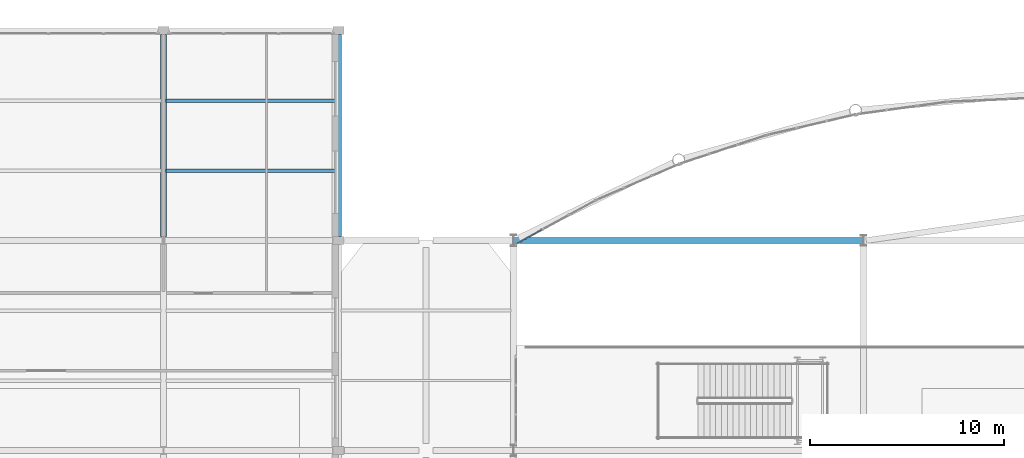
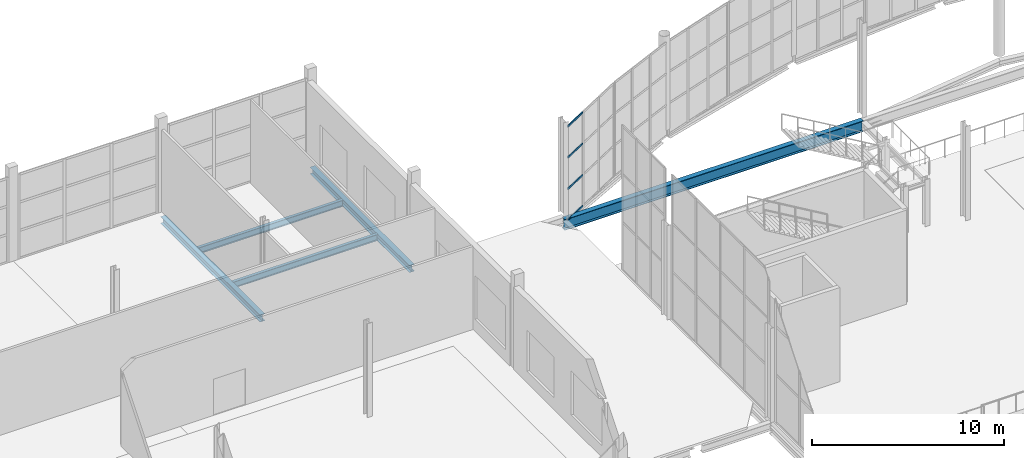
# One storey, part 98 of 191: 5 beams, 4 members, 1 element without a shape of its own.
"""IFC4 building model written with IfcOpenShell, lengths in metres."""

from ifc_helpers import new_model, si_unit, direction, frame, origin, origin_2d, place, context, subcontext, project, spatial, hollow_rectangle, i_section, extrude, material, layer, layer_set, material_profile, profile_set, type_object, element, aggregate, save


model = new_model("IFC4")

# Units and contexts
model_context = context("Model", 3, precision=1e-05, world=origin(), true_north=direction((0.0, 1.0)))
body_context = subcontext(model_context, "Body", "Model", "MODEL_VIEW")
ifc_project = project(units=[si_unit("LENGTHUNIT", "METRE"), si_unit("AREAUNIT", "SQUARE_METRE"), si_unit("VOLUMEUNIT", "CUBIC_METRE"), si_unit("PLANEANGLEUNIT", "RADIAN"), si_unit("MASSUNIT", "GRAM", prefix="KILO")], contexts=[model_context])

# Site, building, storey
site_placement = place(None, origin())
site = spatial("IfcSite", under=ifc_project, at=site_placement, CompositionType="ELEMENT")
building_placement = place(site_placement, origin())
building = spatial("IfcBuilding", under=site, at=building_placement, Name="Tamarisk Ironworks Central Station", CompositionType="ELEMENT")
storey_placement = place(building_placement, frame((0.0, 0.0, 6.60009765625)))
storey = spatial("IfcBuildingStorey", under=building, at=storey_placement, Name="L01", CompositionType="ELEMENT", Elevation=6.60009765625)

# Beams
ifc_material_1 = material(Name="Structural steel S355J2", Category="steel")
ifc_material_profile_1 = material_profile(ifc_material_1, i_section(OverallWidth=0.179931640625, OverallDepth=0.39990234375, WebThickness=0.008544921875, FlangeThickness=0.013427734375, at=origin_2d()), Name="IPE 400")
ifc_profile_set_1 = profile_set([ifc_material_profile_1], Name="Structural steel S355J2")
beam_type_1 = type_object("IfcBeamType", Name="BM-B04", PredefinedType="BEAM", material=ifc_profile_set_1)
for number, where, z_axis, x_axis, name in (
    (1, (36.135009765625, 115.199951171875, -0.4501953125), (1.0, 0.0, 0.0), (0.0, 1.0, 0.0), "L01 secondary composite beam 0070"),
    (2, (36.135009765625, 118.800048828125, -0.4501953125), (1.0, 0.0, 0.0), (0.0, 1.0, 0.0), "L01 secondary composite beam 0071"),
):
    element("IfcBeam", number, at=place(storey_placement, frame(where, z_axis=z_axis, x_axis=x_axis)), inside=storey, type_object=beam_type_1, Name=name, PredefinedType="BEAM", context=body_context, shape_type="SweptSolid", body=[
        extrude(i_section(OverallWidth=0.179931640625, OverallDepth=0.39990234375, WebThickness=0.008544921875, FlangeThickness=0.013427734375, at=origin_2d()), origin(), (0.0, 0.0, 1.0), 8.72998046875),
    ])
ifc_material_profile_2 = material_profile(ifc_material_1, i_section(OverallWidth=0.300048828125, OverallDepth=0.68994140625, WebThickness=0.014404296875, FlangeThickness=0.027099609375, at=origin_2d()), Name="HEA 700")
ifc_profile_set_2 = profile_set([ifc_material_profile_2], Name="Structural steel S355J2")
beam_type_2 = type_object("IfcBeamType", Name="BM-G01", PredefinedType="BEAM", material=ifc_profile_set_2)
beam_placement = place(storey_placement, frame((54.00390625, 111.60009765625, -0.64501953125), z_axis=(1.0, 0.0, 0.0), x_axis=(0.0, 1.0, 0.0)))
element("IfcBeam", 3, at=beam_placement, inside=storey, type_object=beam_type_2, Name="L01 primary girder X-0133", PredefinedType="BEAM", context=body_context, shape_type="SweptSolid", body=[
    extrude(i_section(OverallWidth=0.300048828125, OverallDepth=0.68994140625, WebThickness=0.014404296875, FlangeThickness=0.027099609375, at=origin_2d()), origin(), (0.0, 0.0, 1.0), 17.9921875),
])
ifc_material_profile_3 = material_profile(ifc_material_1, i_section(OverallWidth=0.300048828125, OverallDepth=0.43994140625, WebThickness=0.011474609375, FlangeThickness=0.02099609375, at=origin_2d()), Name="HEA 450")
ifc_profile_set_3 = profile_set([ifc_material_profile_3], Name="Structural steel S355J2")
beam_type_3 = type_object("IfcBeamType", Name="BM-G06", PredefinedType="BEAM", material=ifc_profile_set_3)
for number, where, z_axis, x_axis, name in (
    (4, (36.0, 111.81298828125, -0.47021484375), (0.0, 1.0, 0.0), (-1.0, 0.0, 0.0), "L01 primary girder Y-0195"),
    (5, (45.0, 111.81298828125, -0.47021484375), (0.0, 1.0, 0.0), (-1.0, 0.0, 0.0), "L01 primary girder Y-0204"),
):
    element("IfcBeam", number, at=place(storey_placement, frame(where, z_axis=z_axis, x_axis=x_axis)), inside=storey, type_object=beam_type_3, Name=name, PredefinedType="BEAM", context=body_context, shape_type="SweptSolid", body=[
        extrude(i_section(OverallWidth=0.300048828125, OverallDepth=0.43994140625, WebThickness=0.011474609375, FlangeThickness=0.02099609375, at=origin_2d()), origin(), (0.0, 0.0, 1.0), 10.3740234375),
    ])

# Curtain wall, members
ifc_material_2 = material(Name="Anodized aluminium alloy 6063-T6", Category="aluminium")
ifc_layer = layer(ifc_material_2, 0.179931640625)
ifc_layer_set = layer_set([ifc_layer], Name="Anodized aluminium alloy 6063-T6")
curtain_wall_type = type_object("IfcCurtainWallType", Name="CW-02", PredefinedType="USERDEFINED", material=ifc_layer_set)
curtain_wall_placement = place(storey_placement, origin())
curtain_wall = element("IfcCurtainWall", 6, at=curtain_wall_placement, inside=storey, type_object=curtain_wall_type, Name="NN rounded entrance hall L01 curtain wall bay 01", ObjectType="GLAZED CURTAIN WALL", PredefinedType="USERDEFINED")
ifc_material_profile_4 = material_profile(ifc_material_2, hollow_rectangle(XDim=0.06005859375, YDim=0.114990234375, WallThickness=0.00341796875, at=origin_2d()), Name="ALUM 115x60")
ifc_profile_set_4 = profile_set([ifc_material_profile_4], Name="Anodized aluminium alloy 6063-T6")
member_type = type_object("IfcMemberType", Name="CWT-03", PredefinedType="USERDEFINED", material=ifc_profile_set_4)
member_1_placement = place(storey_placement, frame((54.164794921875, 111.439697265625, -0.35498046875), z_axis=(0.877380853309, 0.479794579217, 0.0), x_axis=(-0.479794579217, 0.877380853309, 0.0)))
member_1 = element("IfcMember", 7, at=member_1_placement, type_object=member_type, Name="CW02 transom 1.1", ObjectType="TRANSOM", PredefinedType="USERDEFINED", context=body_context, shape_type="SweptSolid", body=[
    extrude(hollow_rectangle(XDim=0.06005859375, YDim=0.114990234375, WallThickness=0.00341796875, at=origin_2d()), origin(), (0.0, 0.0, 1.0), 1.48779296875),
])
member_2_placement = place(storey_placement, frame((54.164794921875, 111.439697265625, 1.61669921875), z_axis=(0.877380853309, 0.479794579217, 0.0), x_axis=(-0.479794579217, 0.877380853309, 0.0)))
member_2 = element("IfcMember", 8, at=member_2_placement, type_object=member_type, Name="CW02 transom 1.2", ObjectType="TRANSOM", PredefinedType="USERDEFINED", context=body_context, shape_type="SweptSolid", body=[
    extrude(hollow_rectangle(XDim=0.06005859375, YDim=0.114990234375, WallThickness=0.00341796875, at=origin_2d()), origin(), (0.0, 0.0, 1.0), 1.48779296875),
])
member_3_placement = place(storey_placement, frame((54.164794921875, 111.439697265625, 3.6181640625), z_axis=(0.877380853309, 0.479794579217, 0.0), x_axis=(-0.479794579217, 0.877380853309, 0.0)))
member_3 = element("IfcMember", 9, at=member_3_placement, type_object=member_type, Name="CW02 transom 1.3", ObjectType="TRANSOM", PredefinedType="USERDEFINED", context=body_context, shape_type="SweptSolid", body=[
    extrude(hollow_rectangle(XDim=0.06005859375, YDim=0.114990234375, WallThickness=0.00341796875, at=origin_2d()), origin(), (0.0, 0.0, 1.0), 1.48779296875),
])
member_4_placement = place(storey_placement, frame((54.164794921875, 111.439697265625, 5.58984375), z_axis=(0.877380853309, 0.479794579217, 0.0), x_axis=(-0.479794579217, 0.877380853309, 0.0)))
member_4 = element("IfcMember", 10, at=member_4_placement, type_object=member_type, Name="CW02 transom 1.4", ObjectType="TRANSOM", PredefinedType="USERDEFINED", context=body_context, shape_type="SweptSolid", body=[
    extrude(hollow_rectangle(XDim=0.06005859375, YDim=0.114990234375, WallThickness=0.00341796875, at=origin_2d()), origin(), (0.0, 0.0, 1.0), 1.48779296875),
])
aggregate(curtain_wall, [member_1, member_2, member_3, member_4])

save(model, "model.ifc")
